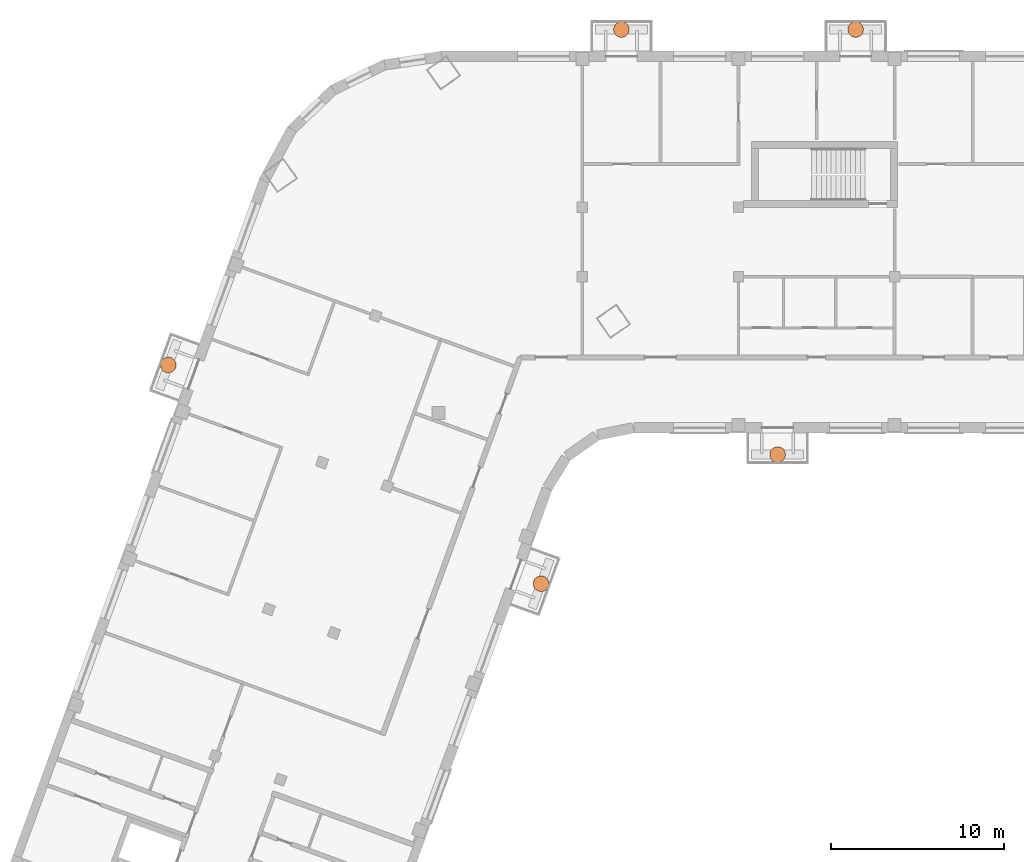
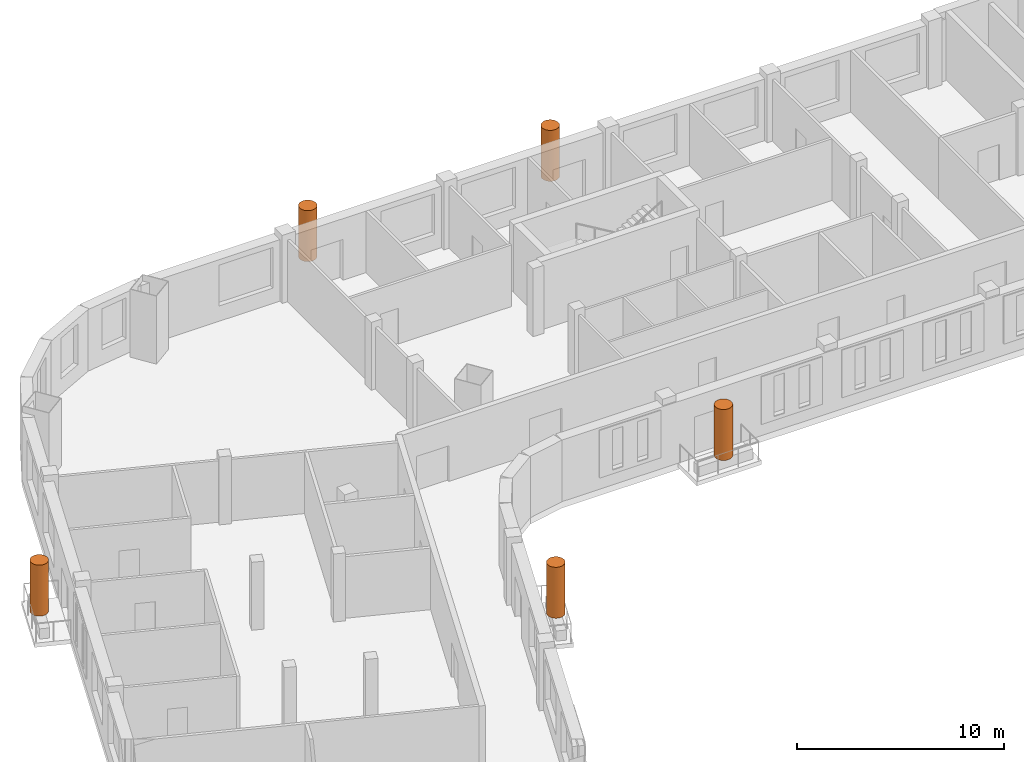
# One storey, part 10 of 10: 5 geographic elements.
"""IFC4 building model written with IfcOpenShell, lengths in metres."""

import ifcopenshell
import ifcopenshell.guid

model = None  # the IFC model being written
_history = None  # IfcOwnerHistory: only IFC2X3 demands one
_inside = {}  # id of a spatial element -> (the spatial element, [elements in it])
_under = {}  # id of a project, library or spatial element -> (it, [spatial elements below it])
_declared = {}  # id of a project -> (the project, [libraries it declares])
_typed = {}  # id of a type object -> (the type object, [elements of that type])
_made_of = {}  # id of a material, layer set ... -> (it, [elements and type objects made of it])


def new_model(schema):
    """Start an empty IFC model of exactly this schema.

    Asked for "IFC4X3", IfcOpenShell would pick the latest addendum, in which some entities
    have other attributes; the version numbers below select the first issue.
    IFC2X3 requires an IfcOwnerHistory on every rooted entity: one is made here for all.
    """
    global model, _history
    if schema == "IFC4X3":
        model = ifcopenshell.file(schema_version=(4, 3, 0, 0))
    else:
        model = ifcopenshell.file(schema=schema)
    _inside.clear()
    _under.clear()
    _declared.clear()
    _typed.clear()
    _made_of.clear()
    _history = None
    if model.schema == "IFC2X3":
        org = make("IfcOrganization", Name="unknown")
        user = make(
            "IfcPersonAndOrganization",
            ThePerson=make("IfcPerson", FamilyName="unknown"),
            TheOrganization=org,
        )
        app = make(
            "IfcApplication",
            ApplicationDeveloper=org,
            Version="unknown",
            ApplicationFullName="unknown",
            ApplicationIdentifier="unknown",
        )
        _history = make(
            "IfcOwnerHistory",
            OwningUser=user,
            OwningApplication=app,
            ChangeAction="ADDED",
            CreationDate=0,
        )
    return model


def make(cls, **values):
    """One entity of the class cls with the attributes given. An attribute that is None is left unset."""
    return model.create_entity(
        cls, **{name: value for name, value in values.items() if value is not None}
    )


def rooted(cls, **values):
    """An entity with a GlobalId (a new one), such as an element, a storey or a relation."""
    return make(cls, GlobalId=ifcopenshell.guid.new(), OwnerHistory=_history, **values)


def si_unit(unit_type, name, prefix=None):
    """IfcSIUnit, for example si_unit("LENGTHUNIT", "METRE", prefix="MILLI")."""
    return make("IfcSIUnit", UnitType=unit_type, Prefix=prefix, Name=name)


def assignment(units):
    """IfcUnitAssignment: the units of a project."""
    return None if units is None else make("IfcUnitAssignment", Units=units)


def point(xyz):
    """IfcCartesianPoint."""
    return None if xyz is None else make("IfcCartesianPoint", Coordinates=xyz)


def direction(xyz):
    """IfcDirection."""
    return None if xyz is None else make("IfcDirection", DirectionRatios=xyz)


def frame(location, z_axis=None, x_axis=None):
    """IfcAxis2Placement3D, a coordinate frame: its origin and axes. An axis left out is left unset."""
    return make(
        "IfcAxis2Placement3D",
        Location=point(location),
        Axis=direction(z_axis),
        RefDirection=direction(x_axis),
    )


def frame_2d(location, x_axis=None):
    """IfcAxis2Placement2D, a coordinate frame in the plane: its origin and x axis."""
    return make(
        "IfcAxis2Placement2D", Location=point(location), RefDirection=direction(x_axis)
    )


def origin():
    """The frame at (0, 0, 0) with its axes left unset."""
    return frame((0.0, 0.0, 0.0))


def origin_2d():
    """The frame at (0, 0) in the plane with its x axis left unset."""
    return frame_2d((0.0, 0.0))


def place(relative_to, where):
    """IfcLocalPlacement: puts the frame where relative to a parent placement (None: the world)."""
    return make(
        "IfcLocalPlacement", PlacementRelTo=relative_to, RelativePlacement=where
    )


def context(
    kind, dimensions, precision=None, world=None, true_north=None, identifier=None
):
    """IfcGeometricRepresentationContext, for example the 3D "Model" context."""
    return make(
        "IfcGeometricRepresentationContext",
        ContextIdentifier=identifier,
        ContextType=kind,
        CoordinateSpaceDimension=dimensions,
        Precision=precision,
        WorldCoordinateSystem=world,
        TrueNorth=true_north,
    )


def subcontext(parent, identifier, kind, view, scale=None):
    """IfcGeometricRepresentationSubContext, for example "Body" below "Model"."""
    return make(
        "IfcGeometricRepresentationSubContext",
        ContextIdentifier=identifier,
        ContextType=kind,
        ParentContext=parent,
        TargetScale=scale,
        TargetView=view,
    )


def project(units=None, contexts=None):
    """IfcProject with its units and contexts."""
    return rooted(
        "IfcProject",
        Name="project",
        RepresentationContexts=contexts,
        UnitsInContext=assignment(units),
    )


def spatial(cls, under=None, at=None, **own):
    """A site, building, storey or space (cls), placed at a placement, below another one or the project."""
    s = rooted(cls, ObjectPlacement=at, **own)
    if under is not None:
        _under.setdefault(under.id(), (under, []))[1].append(s)
    return s


def profile(cls, at=None, kind="AREA", **sizes):
    """A parametric profile (cls). Its sizes go by their IFC names, for example OverallWidth=200.0."""
    return make(cls, ProfileType=kind, Position=at, **sizes)


def circle(**sizes):
    """IfcCircleProfileDef."""
    return profile("IfcCircleProfileDef", **sizes)


def extrude(swept, where, along, depth):
    """IfcExtrudedAreaSolid: the profile swept, set in the frame where, extruded along a direction by depth."""
    return make(
        "IfcExtrudedAreaSolid",
        SweptArea=swept,
        Position=where,
        ExtrudedDirection=direction(along),
        Depth=depth,
    )


def shape(context_of_items, identifier, shape_type, items):
    """IfcShapeRepresentation: the items that make up one representation, for example the "Body"."""
    return make(
        "IfcShapeRepresentation",
        ContextOfItems=context_of_items,
        RepresentationIdentifier=identifier,
        RepresentationType=shape_type,
        Items=items,
    )


def made_of(thing, what):
    """Note that an element or type object is made of a material, layer set ...; save() writes the relation."""
    if what is not None:
        _made_of.setdefault(what.id(), (what, []))[1].append(thing)
    return thing


def element(
    cls,
    number,
    at=None,
    inside=None,
    cuts=None,
    type_object=None,
    material=None,
    context=None,
    identifier="Body",
    shape_type=None,
    held_by="IfcProductDefinitionShape",
    body=None,
    shapes=None,
    **own,
):
    """One element of the class cls, such as IfcWall. Its Tag is "e" and its number.

    at: its placement. inside: the storey or other place that contains it. cuts: it is an
    opening in that element (IfcRelVoidsElement). A single representation is given by context,
    identifier, shape_type and body (its items); several are given by shapes. held_by: the class
    of the entity that holds the representations. save() writes the other relations.
    """
    e = rooted(cls, Tag="e%d" % number, ObjectPlacement=at, **own)
    if body is not None:
        shapes = [shape(context, identifier, shape_type, body)]
    if shapes is not None:
        e.Representation = make(held_by, Representations=shapes)
    if inside is not None:
        _inside.setdefault(inside.id(), (inside, []))[1].append(e)
    if cuts is not None:
        rooted(
            "IfcRelVoidsElement", RelatingBuildingElement=cuts, RelatedOpeningElement=e
        )
    if type_object is not None:
        _typed.setdefault(type_object.id(), (type_object, []))[1].append(e)
    return made_of(e, material)


def aggregate(whole, parts):
    """IfcRelAggregates: a whole, such as a stair, and the parts it consists of."""
    return rooted("IfcRelAggregates", RelatingObject=whole, RelatedObjects=parts)


def save(model, path):
    """Write the relations noted so far, then the file.

    IfcRelAggregates (storeys below a building ...), IfcRelContainedInSpatialStructure (elements
    in a storey), IfcRelDefinesByType, IfcRelAssociatesMaterial and IfcRelDeclares: one each for
    every whole, place, type object, material and project.
    """
    for whole, parts in _under.values():
        aggregate(whole, parts)
    for where, things in _inside.values():
        rooted(
            "IfcRelContainedInSpatialStructure",
            RelatedElements=things,
            RelatingStructure=where,
        )
    for kind, things in _typed.values():
        rooted("IfcRelDefinesByType", RelatedObjects=things, RelatingType=kind)
    for what, things in _made_of.values():
        rooted("IfcRelAssociatesMaterial", RelatedObjects=things, RelatingMaterial=what)
    for by, libraries in _declared.values():
        rooted("IfcRelDeclares", RelatingContext=by, RelatedDefinitions=libraries)
    model.write(path)


model = new_model("IFC4")

# Units and contexts
model_context = context("Model", 3, precision=1e-05, world=origin(), true_north=direction((0.0, 1.0)))
body_context = subcontext(model_context, "Body", "Model", "MODEL_VIEW")
ifc_project = project(units=[si_unit("LENGTHUNIT", "METRE"), si_unit("AREAUNIT", "SQUARE_METRE"), si_unit("VOLUMEUNIT", "CUBIC_METRE"), si_unit("PLANEANGLEUNIT", "RADIAN"), si_unit("MASSUNIT", "GRAM", prefix="KILO")], contexts=[model_context])

# Site, building, storey
site_placement = place(None, origin())
site = spatial("IfcSite", under=ifc_project, at=site_placement, CompositionType="ELEMENT")
building_placement = place(site_placement, origin())
building = spatial("IfcBuilding", under=site, at=building_placement, Name="Skarvind Civic Tower", CompositionType="ELEMENT")
storey_placement = place(building_placement, frame((0.0, 0.0, 192.0)))
storey = spatial("IfcBuildingStorey", under=building, at=storey_placement, Name="L45", CompositionType="ELEMENT", Elevation=192.0)

# Geographic elements
for number, where, z_axis, x_axis, name in (
    (1, (51.867919921875, 108.305419921875, 0.60009765625), (0.0, 0.0, 1.0), (1.0, 0.0, 0.0), "TREE BALCONY TREE"),
    (2, (65.5, 115.75, 0.60009765625), (0.0, 0.0, 1.0), (1.0, 0.0, 0.0), "TREE BALCONY TREE"),
    (3, (56.5, 140.25, 0.60009765625), (0.0, 0.0, 1.0), (1.0, 0.0, 0.0), "TREE BALCONY TREE"),
    (4, (70.0, 140.25, 0.60009765625), (0.0, 0.0, 1.0), (1.0, 0.0, 0.0), "TREE BALCONY TREE"),
    (5, (30.384521484375, 120.91357421875, 0.60009765625), (0.0, 0.0, 1.0), (1.0, 0.0, 0.0), "TREE BALCONY TREE"),
):
    element("IfcGeographicElement", number, at=place(storey_placement, frame(where, z_axis=z_axis, x_axis=x_axis)), inside=storey, Name=name, ObjectType="TREE", PredefinedType="USERDEFINED", context=body_context, shape_type="SweptSolid", body=[
        extrude(circle(Radius=0.449951171875, at=origin_2d()), origin(), (0.0, 0.0, 1.0), 3.0),
    ])

save(model, "model.ifc")
